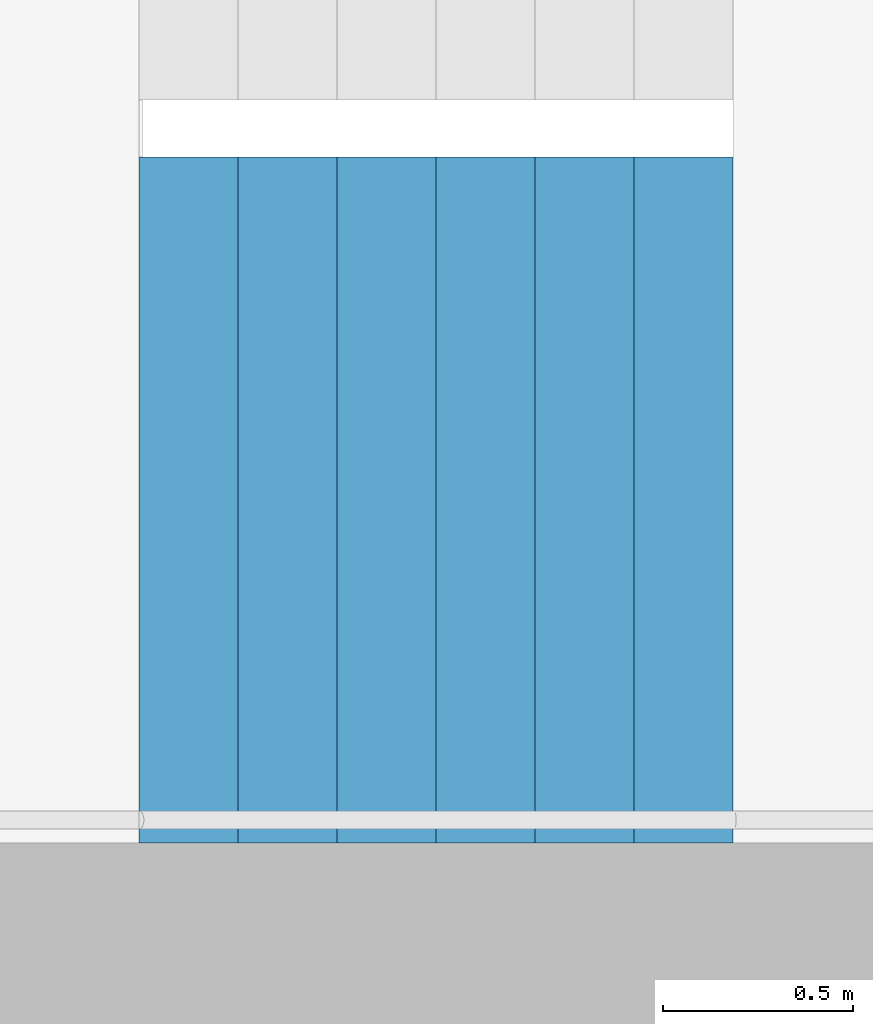
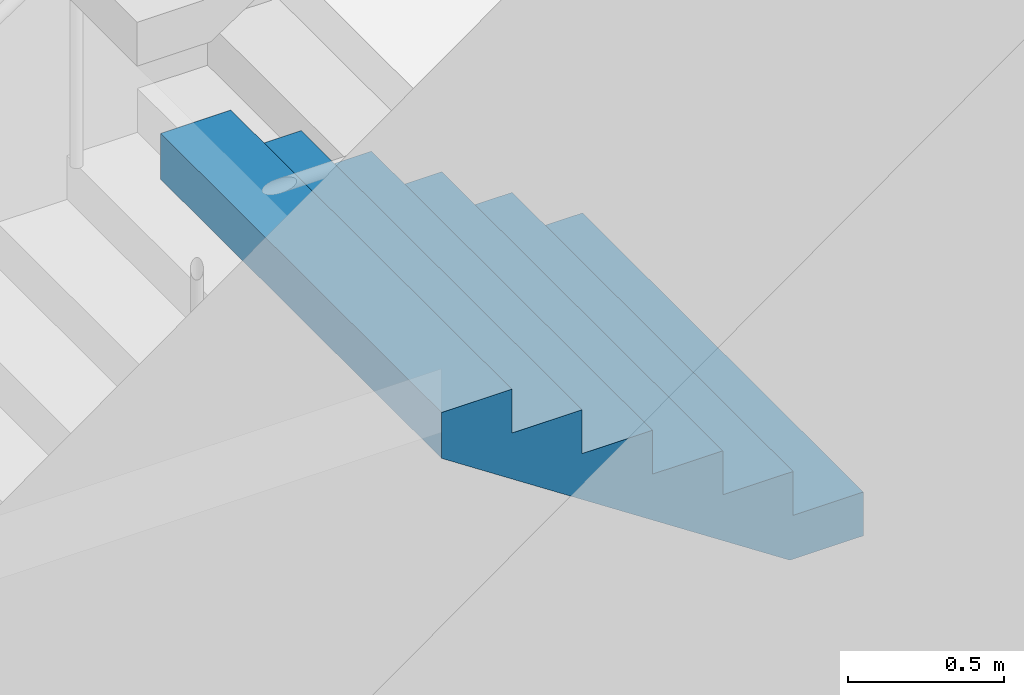
# One storey, part 35 of 53: 1 stair flight, 1 element without a shape of its own.
"""IFC4 building model written with IfcOpenShell, lengths in metres."""

from ifc_helpers import new_model, si_unit, direction, frame, origin, place, context, subcontext, project, spatial, triangles, material, type_object, element, aggregate, save


model = new_model("IFC4")

# Units and contexts
model_context = context("Model", 3, precision=1e-05, world=origin(), true_north=direction((0.0, 1.0)))
body_context = subcontext(model_context, "Body", "Model", "MODEL_VIEW")
ifc_project = project(units=[si_unit("LENGTHUNIT", "METRE"), si_unit("AREAUNIT", "SQUARE_METRE"), si_unit("VOLUMEUNIT", "CUBIC_METRE"), si_unit("PLANEANGLEUNIT", "RADIAN"), si_unit("MASSUNIT", "GRAM", prefix="KILO")], contexts=[model_context])

# Site, building, storey
site_placement = place(None, origin())
site = spatial("IfcSite", under=ifc_project, at=site_placement, CompositionType="ELEMENT")
building_placement = place(site_placement, origin())
building = spatial("IfcBuilding", under=site, at=building_placement, Name="Hakoniwa Tower and Hamabe Station Hall", CompositionType="ELEMENT")
storey_placement = place(building_placement, frame((0.0, 0.0, 15.0)))
storey = spatial("IfcBuildingStorey", under=building, at=storey_placement, Name="L03", CompositionType="ELEMENT", Elevation=15.0)

# Stair, stair flight
ifc_material_1 = material(Name="Concrete C40", Category="concrete")
stair_type = type_object("IfcStairType", Name="ESCAPE STAIR 1800", PredefinedType="HALF_TURN_STAIR", material=ifc_material_1)
stair_placement = place(storey_placement, origin())
stair = element("IfcStair", 1, at=stair_placement, inside=storey, type_object=stair_type, Name="Escape stair ST-4 L03", PredefinedType="HALF_TURN_STAIR")
ifc_material_2 = material(Name="Concrete C40", Category="concrete")
stair_flight_type = type_object("IfcStairFlightType", Name="STAIR FLIGHT 1800", PredefinedType="STRAIGHT", material=ifc_material_2)
stair_flight_placement = place(storey_placement, frame((24.9599609375, -6.60009765625, 1.199951171875), z_axis=(0.0, 0.0, 1.0), x_axis=(-1.0, 0.0, 0.0)))
stair_flight = element("IfcStairFlight", 2, at=stair_flight_placement, type_object=stair_flight_type, Name="ST-4 flight 2", NumberOfRisers=7, NumberOfTreads=6, PredefinedType="STRAIGHT", RiserHeight=0.171428571, TreadLength=0.26, context=body_context, shape_type="Tessellation", body=[
    triangles([(0.0, 0.89990234375, 0.0), (0.260009765625, 0.89990234375, 0.0), (0.272216796875, 0.89990234375, 0.0), (0.52001953125, 0.89990234375, 0.163330078125), (0.780029296875, 0.89990234375, 0.334716796875), (1.0400390625, 0.89990234375, 0.506103515625), (1.300048828125, 0.89990234375, 0.677490234375), (1.56005859375, 0.89990234375, 0.84912109375), (1.56005859375, 0.89990234375, 1.028564453125), (1.300048828125, 0.89990234375, 1.028564453125), (1.300048828125, 0.89990234375, 0.857177734375), (1.0400390625, 0.89990234375, 0.857177734375), (1.0400390625, 0.89990234375, 0.685791015625), (0.780029296875, 0.89990234375, 0.685791015625), (0.780029296875, 0.89990234375, 0.514404296875), (0.52001953125, 0.89990234375, 0.514404296875), (0.52001953125, 0.89990234375, 0.3427734375), (0.272216796875, 0.89990234375, 0.3427734375), (0.260009765625, 0.89990234375, 0.3427734375), (0.260009765625, 0.89990234375, 0.17138671875), (0.0, 0.89990234375, 0.17138671875), (0.0, 0.06005859375, 0.0), (0.260009765625, 0.06005859375, 0.0), (0.272216796875, 0.06005859375, 0.0), (0.52001953125, 0.06005859375, 0.163330078125), (0.780029296875, 0.06005859375, 0.334716796875), (1.0400390625, 0.06005859375, 0.506103515625), (1.300048828125, 0.06005859375, 0.677490234375), (1.56005859375, 0.06005859375, 0.84912109375), (1.56005859375, 0.06005859375, 1.028564453125), (1.300048828125, 0.06005859375, 1.028564453125), (1.300048828125, 0.06005859375, 0.857177734375), (1.0400390625, 0.06005859375, 0.857177734375), (1.0400390625, 0.06005859375, 0.685791015625), (0.780029296875, 0.06005859375, 0.685791015625), (0.780029296875, 0.06005859375, 0.514404296875), (0.52001953125, 0.06005859375, 0.514404296875), (0.52001953125, 0.06005859375, 0.3427734375), (0.272216796875, 0.06005859375, 0.3427734375), (0.260009765625, 0.06005859375, 0.3427734375), (0.260009765625, 0.06005859375, 0.17138671875), (0.0, 0.06005859375, 0.17138671875), (0.0, 0.049072265625, 0.0), (0.260009765625, 0.049072265625, 0.0), (0.272216796875, 0.049072265625, 0.0), (0.52001953125, 0.049072265625, 0.163330078125), (0.780029296875, 0.049072265625, 0.334716796875), (1.0400390625, 0.049072265625, 0.506103515625), (1.300048828125, 0.049072265625, 0.677490234375), (1.56005859375, 0.049072265625, 0.84912109375), (1.56005859375, 0.049072265625, 1.028564453125), (1.300048828125, 0.049072265625, 1.028564453125), (1.300048828125, 0.049072265625, 0.857177734375), (1.0400390625, 0.049072265625, 0.857177734375), (1.0400390625, 0.049072265625, 0.685791015625), (0.780029296875, 0.049072265625, 0.685791015625), (0.780029296875, 0.049072265625, 0.514404296875), (0.52001953125, 0.049072265625, 0.514404296875), (0.52001953125, 0.049072265625, 0.3427734375), (0.272216796875, 0.049072265625, 0.3427734375), (0.260009765625, 0.049072265625, 0.3427734375), (0.260009765625, 0.049072265625, 0.17138671875), (0.0, 0.049072265625, 0.17138671875), (0.0, 0.0380859375, 0.0), (0.260009765625, 0.0380859375, 0.0), (0.272216796875, 0.0380859375, 0.0), (0.52001953125, 0.0380859375, 0.163330078125), (0.780029296875, 0.0380859375, 0.334716796875), (1.0400390625, 0.0380859375, 0.506103515625), (1.300048828125, 0.0380859375, 0.677490234375), (1.56005859375, 0.0380859375, 0.84912109375), (1.56005859375, 0.0380859375, 1.028564453125), (1.300048828125, 0.0380859375, 1.028564453125), (1.300048828125, 0.0380859375, 0.857177734375), (1.0400390625, 0.0380859375, 0.857177734375), (1.0400390625, 0.0380859375, 0.685791015625), (0.780029296875, 0.0380859375, 0.685791015625), (0.780029296875, 0.0380859375, 0.514404296875), (0.52001953125, 0.0380859375, 0.514404296875), (0.52001953125, 0.0380859375, 0.3427734375), (0.272216796875, 0.0380859375, 0.3427734375), (0.260009765625, 0.0380859375, 0.3427734375), (0.260009765625, 0.0380859375, 0.17138671875), (0.0, 0.0380859375, 0.17138671875), (0.0, 0.02734375, 0.0), (0.260009765625, 0.02734375, 0.0), (0.272216796875, 0.02734375, 0.0), (0.52001953125, 0.02734375, 0.163330078125), (0.780029296875, 0.02734375, 0.334716796875), (1.0400390625, 0.02734375, 0.506103515625), (1.300048828125, 0.02734375, 0.677490234375), (1.56005859375, 0.02734375, 0.84912109375), (1.56005859375, 0.02734375, 1.028564453125), (1.300048828125, 0.02734375, 1.028564453125), (1.300048828125, 0.02734375, 0.857177734375), (1.0400390625, 0.02734375, 0.857177734375), (1.0400390625, 0.02734375, 0.685791015625), (0.780029296875, 0.02734375, 0.685791015625), (0.780029296875, 0.02734375, 0.514404296875), (0.52001953125, 0.02734375, 0.514404296875), (0.52001953125, 0.02734375, 0.3427734375), (0.272216796875, 0.02734375, 0.3427734375), (0.260009765625, 0.02734375, 0.3427734375), (0.260009765625, 0.02734375, 0.17138671875), (0.0, 0.02734375, 0.17138671875), (0.0, 0.016357421875, 0.0), (0.260009765625, 0.016357421875, 0.0), (0.272216796875, 0.016357421875, 0.0), (0.52001953125, 0.016357421875, 0.163330078125), (0.780029296875, 0.016357421875, 0.334716796875), (1.0400390625, 0.016357421875, 0.506103515625), (1.300048828125, 0.016357421875, 0.677490234375), (1.56005859375, 0.016357421875, 0.84912109375), (1.56005859375, 0.016357421875, 1.028564453125), (1.300048828125, 0.016357421875, 1.028564453125), (1.300048828125, 0.016357421875, 0.857177734375), (1.0400390625, 0.016357421875, 0.857177734375), (1.0400390625, 0.016357421875, 0.685791015625), (0.780029296875, 0.016357421875, 0.685791015625), (0.780029296875, 0.016357421875, 0.514404296875), (0.52001953125, 0.016357421875, 0.514404296875), (0.52001953125, 0.016357421875, 0.3427734375), (0.272216796875, 0.016357421875, 0.3427734375), (0.260009765625, 0.016357421875, 0.3427734375), (0.260009765625, 0.016357421875, 0.17138671875), (0.0, 0.016357421875, 0.17138671875), (0.0, 0.00537109375, 0.0), (0.260009765625, 0.00537109375, 0.0), (0.272216796875, 0.00537109375, 0.0), (0.52001953125, 0.00537109375, 0.163330078125), (0.780029296875, 0.00537109375, 0.334716796875), (1.0400390625, 0.00537109375, 0.506103515625), (1.300048828125, 0.00537109375, 0.677490234375), (1.56005859375, 0.00537109375, 0.84912109375), (1.56005859375, 0.00537109375, 1.028564453125), (1.300048828125, 0.00537109375, 1.028564453125), (1.300048828125, 0.00537109375, 0.857177734375), (1.0400390625, 0.00537109375, 0.857177734375), (1.0400390625, 0.00537109375, 0.685791015625), (0.780029296875, 0.00537109375, 0.685791015625), (0.780029296875, 0.00537109375, 0.514404296875), (0.52001953125, 0.00537109375, 0.514404296875), (0.52001953125, 0.00537109375, 0.3427734375), (0.272216796875, 0.00537109375, 0.3427734375), (0.260009765625, 0.00537109375, 0.3427734375), (0.260009765625, 0.00537109375, 0.17138671875), (0.0, 0.00537109375, 0.17138671875), (0.0, -0.00537109375, 0.0), (0.260009765625, -0.00537109375, 0.0), (0.272216796875, -0.00537109375, 0.0), (0.52001953125, -0.00537109375, 0.163330078125), (0.780029296875, -0.00537109375, 0.334716796875), (1.0400390625, -0.00537109375, 0.506103515625), (1.300048828125, -0.00537109375, 0.677490234375), (1.56005859375, -0.00537109375, 0.84912109375), (1.56005859375, -0.00537109375, 1.028564453125), (1.300048828125, -0.00537109375, 1.028564453125), (1.300048828125, -0.00537109375, 0.857177734375), (1.0400390625, -0.00537109375, 0.857177734375), (1.0400390625, -0.00537109375, 0.685791015625), (0.780029296875, -0.00537109375, 0.685791015625), (0.780029296875, -0.00537109375, 0.514404296875), (0.52001953125, -0.00537109375, 0.514404296875), (0.52001953125, -0.00537109375, 0.3427734375), (0.272216796875, -0.00537109375, 0.3427734375), (0.260009765625, -0.00537109375, 0.3427734375), (0.260009765625, -0.00537109375, 0.17138671875), (0.0, -0.00537109375, 0.17138671875), (0.0, -0.016357421875, 0.0), (0.260009765625, -0.016357421875, 0.0), (0.272216796875, -0.016357421875, 0.0), (0.52001953125, -0.016357421875, 0.163330078125), (0.780029296875, -0.016357421875, 0.334716796875), (1.0400390625, -0.016357421875, 0.506103515625), (1.300048828125, -0.016357421875, 0.677490234375), (1.56005859375, -0.016357421875, 0.84912109375), (1.56005859375, -0.016357421875, 1.028564453125), (1.300048828125, -0.016357421875, 1.028564453125), (1.300048828125, -0.016357421875, 0.857177734375), (1.0400390625, -0.016357421875, 0.857177734375), (1.0400390625, -0.016357421875, 0.685791015625), (0.780029296875, -0.016357421875, 0.685791015625), (0.780029296875, -0.016357421875, 0.514404296875), (0.52001953125, -0.016357421875, 0.514404296875), (0.52001953125, -0.016357421875, 0.3427734375), (0.272216796875, -0.016357421875, 0.3427734375), (0.260009765625, -0.016357421875, 0.3427734375), (0.260009765625, -0.016357421875, 0.17138671875), (0.0, -0.016357421875, 0.17138671875), (0.0, -0.02734375, 0.0), (0.260009765625, -0.02734375, 0.0), (0.272216796875, -0.02734375, 0.0), (0.52001953125, -0.02734375, 0.163330078125), (0.780029296875, -0.02734375, 0.334716796875), (1.0400390625, -0.02734375, 0.506103515625), (1.300048828125, -0.02734375, 0.677490234375), (1.56005859375, -0.02734375, 0.84912109375), (1.56005859375, -0.02734375, 1.028564453125), (1.300048828125, -0.02734375, 1.028564453125), (1.300048828125, -0.02734375, 0.857177734375), (1.0400390625, -0.02734375, 0.857177734375), (1.0400390625, -0.02734375, 0.685791015625), (0.780029296875, -0.02734375, 0.685791015625), (0.780029296875, -0.02734375, 0.514404296875), (0.52001953125, -0.02734375, 0.514404296875), (0.52001953125, -0.02734375, 0.3427734375), (0.272216796875, -0.02734375, 0.3427734375), (0.260009765625, -0.02734375, 0.3427734375), (0.260009765625, -0.02734375, 0.17138671875), (0.0, -0.02734375, 0.17138671875), (0.0, -0.0380859375, 0.0), (0.260009765625, -0.0380859375, 0.0), (0.272216796875, -0.0380859375, 0.0), (0.52001953125, -0.0380859375, 0.163330078125), (0.780029296875, -0.0380859375, 0.334716796875), (1.0400390625, -0.0380859375, 0.506103515625), (1.300048828125, -0.0380859375, 0.677490234375), (1.56005859375, -0.0380859375, 0.84912109375), (1.56005859375, -0.0380859375, 1.028564453125), (1.300048828125, -0.0380859375, 1.028564453125), (1.300048828125, -0.0380859375, 0.857177734375), (1.0400390625, -0.0380859375, 0.857177734375), (1.0400390625, -0.0380859375, 0.685791015625), (0.780029296875, -0.0380859375, 0.685791015625), (0.780029296875, -0.0380859375, 0.514404296875), (0.52001953125, -0.0380859375, 0.514404296875), (0.52001953125, -0.0380859375, 0.3427734375), (0.272216796875, -0.0380859375, 0.3427734375), (0.260009765625, -0.0380859375, 0.3427734375), (0.260009765625, -0.0380859375, 0.17138671875), (0.0, -0.0380859375, 0.17138671875), (0.0, -0.049072265625, 0.0), (0.260009765625, -0.049072265625, 0.0), (0.272216796875, -0.049072265625, 0.0), (0.52001953125, -0.049072265625, 0.163330078125), (0.780029296875, -0.049072265625, 0.334716796875), (1.0400390625, -0.049072265625, 0.506103515625), (1.300048828125, -0.049072265625, 0.677490234375), (1.56005859375, -0.049072265625, 0.84912109375), (1.56005859375, -0.049072265625, 1.028564453125), (1.300048828125, -0.049072265625, 1.028564453125), (1.300048828125, -0.049072265625, 0.857177734375), (1.0400390625, -0.049072265625, 0.857177734375), (1.0400390625, -0.049072265625, 0.685791015625), (0.780029296875, -0.049072265625, 0.685791015625), (0.780029296875, -0.049072265625, 0.514404296875), (0.52001953125, -0.049072265625, 0.514404296875), (0.52001953125, -0.049072265625, 0.3427734375), (0.272216796875, -0.049072265625, 0.3427734375), (0.260009765625, -0.049072265625, 0.3427734375), (0.260009765625, -0.049072265625, 0.17138671875), (0.0, -0.049072265625, 0.17138671875), (0.0, -0.06005859375, 0.0), (0.260009765625, -0.06005859375, 0.0), (0.272216796875, -0.06005859375, 0.0), (0.52001953125, -0.06005859375, 0.163330078125), (0.780029296875, -0.06005859375, 0.334716796875), (1.0400390625, -0.06005859375, 0.506103515625), (1.300048828125, -0.06005859375, 0.677490234375), (1.56005859375, -0.06005859375, 0.84912109375), (1.56005859375, -0.06005859375, 1.028564453125), (1.300048828125, -0.06005859375, 1.028564453125), (1.300048828125, -0.06005859375, 0.857177734375), (1.0400390625, -0.06005859375, 0.857177734375), (1.0400390625, -0.06005859375, 0.685791015625), (0.780029296875, -0.06005859375, 0.685791015625), (0.780029296875, -0.06005859375, 0.514404296875), (0.52001953125, -0.06005859375, 0.514404296875), (0.52001953125, -0.06005859375, 0.3427734375), (0.272216796875, -0.06005859375, 0.3427734375), (0.260009765625, -0.06005859375, 0.3427734375), (0.260009765625, -0.06005859375, 0.17138671875), (0.0, -0.06005859375, 0.17138671875), (0.0, -0.89990234375, 0.0), (0.260009765625, -0.89990234375, 0.0), (0.272216796875, -0.89990234375, 0.0), (0.52001953125, -0.89990234375, 0.163330078125), (0.780029296875, -0.89990234375, 0.334716796875), (1.0400390625, -0.89990234375, 0.506103515625), (1.300048828125, -0.89990234375, 0.677490234375), (1.56005859375, -0.89990234375, 0.84912109375), (1.56005859375, -0.89990234375, 1.028564453125), (1.300048828125, -0.89990234375, 1.028564453125), (1.300048828125, -0.89990234375, 0.857177734375), (1.0400390625, -0.89990234375, 0.857177734375), (1.0400390625, -0.89990234375, 0.685791015625), (0.780029296875, -0.89990234375, 0.685791015625), (0.780029296875, -0.89990234375, 0.514404296875), (0.52001953125, -0.89990234375, 0.514404296875), (0.52001953125, -0.89990234375, 0.3427734375), (0.272216796875, -0.89990234375, 0.3427734375), (0.260009765625, -0.89990234375, 0.3427734375), (0.260009765625, -0.89990234375, 0.17138671875), (0.0, -0.89990234375, 0.17138671875)], [[2, 21, 20], [275, 293, 294], [2, 1, 21], [275, 294, 274], [3, 19, 18], [276, 291, 292], [3, 20, 19], [276, 292, 293], [3, 2, 20], [276, 293, 275], [4, 18, 17], [277, 290, 291], [4, 3, 18], [277, 291, 276], [5, 16, 15], [278, 288, 289], [5, 17, 16], [278, 289, 290], [5, 4, 17], [278, 290, 277], [6, 14, 13], [279, 286, 287], [6, 15, 14], [279, 287, 288], [6, 5, 15], [279, 288, 278], [7, 12, 11], [280, 284, 285], [7, 13, 12], [280, 285, 286], [7, 6, 13], [280, 286, 279], [8, 10, 9], [281, 282, 283], [8, 11, 10], [281, 283, 284], [8, 7, 11], [281, 284, 280], [1, 2, 23], [1, 23, 22], [22, 23, 44], [22, 44, 43], [43, 44, 65], [43, 65, 64], [64, 65, 86], [64, 86, 85], [85, 86, 107], [85, 107, 106], [106, 107, 128], [106, 128, 127], [127, 128, 149], [127, 149, 148], [148, 149, 170], [148, 170, 169], [169, 170, 191], [169, 191, 190], [190, 191, 212], [190, 212, 211], [211, 212, 233], [211, 233, 232], [232, 233, 254], [232, 254, 253], [253, 254, 275], [253, 275, 274], [2, 3, 24], [2, 24, 23], [23, 24, 45], [23, 45, 44], [44, 45, 66], [44, 66, 65], [65, 66, 87], [65, 87, 86], [86, 87, 108], [86, 108, 107], [107, 108, 129], [107, 129, 128], [128, 129, 150], [128, 150, 149], [149, 150, 171], [149, 171, 170], [170, 171, 192], [170, 192, 191], [191, 192, 213], [191, 213, 212], [212, 213, 234], [212, 234, 233], [233, 234, 255], [233, 255, 254], [254, 255, 276], [254, 276, 275], [3, 4, 25], [3, 25, 24], [24, 25, 46], [24, 46, 45], [45, 46, 67], [45, 67, 66], [66, 67, 88], [66, 88, 87], [87, 88, 109], [87, 109, 108], [108, 109, 130], [108, 130, 129], [129, 130, 151], [129, 151, 150], [150, 151, 172], [150, 172, 171], [171, 172, 193], [171, 193, 192], [192, 193, 214], [192, 214, 213], [213, 214, 235], [213, 235, 234], [234, 235, 256], [234, 256, 255], [255, 256, 277], [255, 277, 276], [4, 5, 26], [4, 26, 25], [25, 26, 47], [25, 47, 46], [46, 47, 68], [46, 68, 67], [67, 68, 89], [67, 89, 88], [88, 89, 110], [88, 110, 109], [109, 110, 131], [109, 131, 130], [130, 131, 152], [130, 152, 151], [151, 152, 173], [151, 173, 172], [172, 173, 194], [172, 194, 193], [193, 194, 215], [193, 215, 214], [214, 215, 236], [214, 236, 235], [235, 236, 257], [235, 257, 256], [256, 257, 278], [256, 278, 277], [5, 6, 27], [5, 27, 26], [26, 27, 48], [26, 48, 47], [47, 48, 69], [47, 69, 68], [68, 69, 90], [68, 90, 89], [89, 90, 111], [89, 111, 110], [110, 111, 132], [110, 132, 131], [131, 132, 153], [131, 153, 152], [152, 153, 174], [152, 174, 173], [173, 174, 195], [173, 195, 194], [194, 195, 216], [194, 216, 215], [215, 216, 237], [215, 237, 236], [236, 237, 258], [236, 258, 257], [257, 258, 279], [257, 279, 278], [6, 7, 28], [6, 28, 27], [27, 28, 49], [27, 49, 48], [48, 49, 70], [48, 70, 69], [69, 70, 91], [69, 91, 90], [90, 91, 112], [90, 112, 111], [111, 112, 133], [111, 133, 132], [132, 133, 154], [132, 154, 153], [153, 154, 175], [153, 175, 174], [174, 175, 196], [174, 196, 195], [195, 196, 217], [195, 217, 216], [216, 217, 238], [216, 238, 237], [237, 238, 259], [237, 259, 258], [258, 259, 280], [258, 280, 279], [7, 8, 29], [7, 29, 28], [28, 29, 50], [28, 50, 49], [49, 50, 71], [49, 71, 70], [70, 71, 92], [70, 92, 91], [91, 92, 113], [91, 113, 112], [112, 113, 134], [112, 134, 133], [133, 134, 155], [133, 155, 154], [154, 155, 176], [154, 176, 175], [175, 176, 197], [175, 197, 196], [196, 197, 218], [196, 218, 217], [217, 218, 239], [217, 239, 238], [238, 239, 260], [238, 260, 259], [259, 260, 281], [259, 281, 280], [8, 9, 30], [8, 30, 29], [29, 30, 51], [29, 51, 50], [50, 51, 72], [50, 72, 71], [71, 72, 93], [71, 93, 92], [92, 93, 114], [92, 114, 113], [113, 114, 135], [113, 135, 134], [134, 135, 156], [134, 156, 155], [155, 156, 177], [155, 177, 176], [176, 177, 198], [176, 198, 197], [197, 198, 219], [197, 219, 218], [218, 219, 240], [218, 240, 239], [239, 240, 261], [239, 261, 260], [260, 261, 282], [260, 282, 281], [9, 10, 31], [9, 31, 30], [30, 31, 52], [30, 52, 51], [51, 52, 73], [51, 73, 72], [72, 73, 94], [72, 94, 93], [93, 94, 115], [93, 115, 114], [114, 115, 136], [114, 136, 135], [135, 136, 157], [135, 157, 156], [156, 157, 178], [156, 178, 177], [177, 178, 199], [177, 199, 198], [198, 199, 220], [198, 220, 219], [219, 220, 241], [219, 241, 240], [240, 241, 262], [240, 262, 261], [261, 262, 283], [261, 283, 282], [10, 11, 32], [10, 32, 31], [31, 32, 53], [31, 53, 52], [52, 53, 74], [52, 74, 73], [73, 74, 95], [73, 95, 94], [94, 95, 116], [94, 116, 115], [115, 116, 137], [115, 137, 136], [136, 137, 158], [136, 158, 157], [157, 158, 179], [157, 179, 178], [178, 179, 200], [178, 200, 199], [199, 200, 221], [199, 221, 220], [220, 221, 242], [220, 242, 241], [241, 242, 263], [241, 263, 262], [262, 263, 284], [262, 284, 283], [11, 12, 33], [11, 33, 32], [32, 33, 54], [32, 54, 53], [53, 54, 75], [53, 75, 74], [74, 75, 96], [74, 96, 95], [95, 96, 117], [95, 117, 116], [116, 117, 138], [116, 138, 137], [137, 138, 159], [137, 159, 158], [158, 159, 180], [158, 180, 179], [179, 180, 201], [179, 201, 200], [200, 201, 222], [200, 222, 221], [221, 222, 243], [221, 243, 242], [242, 243, 264], [242, 264, 263], [263, 264, 285], [263, 285, 284], [12, 13, 34], [12, 34, 33], [33, 34, 55], [33, 55, 54], [54, 55, 76], [54, 76, 75], [75, 76, 97], [75, 97, 96], [96, 97, 118], [96, 118, 117], [117, 118, 139], [117, 139, 138], [138, 139, 160], [138, 160, 159], [159, 160, 181], [159, 181, 180], [180, 181, 202], [180, 202, 201], [201, 202, 223], [201, 223, 222], [222, 223, 244], [222, 244, 243], [243, 244, 265], [243, 265, 264], [264, 265, 286], [264, 286, 285], [13, 14, 35], [13, 35, 34], [34, 35, 56], [34, 56, 55], [55, 56, 77], [55, 77, 76], [76, 77, 98], [76, 98, 97], [97, 98, 119], [97, 119, 118], [118, 119, 140], [118, 140, 139], [139, 140, 161], [139, 161, 160], [160, 161, 182], [160, 182, 181], [181, 182, 203], [181, 203, 202], [202, 203, 224], [202, 224, 223], [223, 224, 245], [223, 245, 244], [244, 245, 266], [244, 266, 265], [265, 266, 287], [265, 287, 286], [14, 15, 36], [14, 36, 35], [35, 36, 57], [35, 57, 56], [56, 57, 78], [56, 78, 77], [77, 78, 99], [77, 99, 98], [98, 99, 120], [98, 120, 119], [119, 120, 141], [119, 141, 140], [140, 141, 162], [140, 162, 161], [161, 162, 183], [161, 183, 182], [182, 183, 204], [182, 204, 203], [203, 204, 225], [203, 225, 224], [224, 225, 246], [224, 246, 245], [245, 246, 267], [245, 267, 266], [266, 267, 288], [266, 288, 287], [15, 16, 37], [15, 37, 36], [36, 37, 58], [36, 58, 57], [57, 58, 79], [57, 79, 78], [78, 79, 100], [78, 100, 99], [99, 100, 121], [99, 121, 120], [120, 121, 142], [120, 142, 141], [141, 142, 163], [141, 163, 162], [162, 163, 184], [162, 184, 183], [183, 184, 205], [183, 205, 204], [204, 205, 226], [204, 226, 225], [225, 226, 247], [225, 247, 246], [246, 247, 268], [246, 268, 267], [267, 268, 289], [267, 289, 288], [16, 17, 38], [16, 38, 37], [37, 38, 59], [37, 59, 58], [58, 59, 80], [58, 80, 79], [79, 80, 101], [79, 101, 100], [100, 101, 122], [100, 122, 121], [121, 122, 143], [121, 143, 142], [142, 143, 164], [142, 164, 163], [163, 164, 185], [163, 185, 184], [184, 185, 206], [184, 206, 205], [205, 206, 227], [205, 227, 226], [226, 227, 248], [226, 248, 247], [247, 248, 269], [247, 269, 268], [268, 269, 290], [268, 290, 289], [17, 18, 39], [17, 39, 38], [38, 39, 60], [38, 60, 59], [59, 60, 81], [59, 81, 80], [80, 81, 102], [80, 102, 101], [101, 102, 123], [101, 123, 122], [122, 123, 144], [122, 144, 143], [143, 144, 165], [143, 165, 164], [164, 165, 186], [164, 186, 185], [185, 186, 207], [185, 207, 206], [206, 207, 228], [206, 228, 227], [227, 228, 249], [227, 249, 248], [248, 249, 270], [248, 270, 269], [269, 270, 291], [269, 291, 290], [18, 19, 40], [18, 40, 39], [39, 40, 61], [39, 61, 60], [60, 61, 82], [60, 82, 81], [81, 82, 103], [81, 103, 102], [102, 103, 124], [102, 124, 123], [123, 124, 145], [123, 145, 144], [144, 145, 166], [144, 166, 165], [165, 166, 187], [165, 187, 186], [186, 187, 208], [186, 208, 207], [207, 208, 229], [207, 229, 228], [228, 229, 250], [228, 250, 249], [249, 250, 271], [249, 271, 270], [270, 271, 292], [270, 292, 291], [19, 20, 41], [19, 41, 40], [40, 41, 62], [40, 62, 61], [61, 62, 83], [61, 83, 82], [82, 83, 104], [82, 104, 103], [103, 104, 125], [103, 125, 124], [124, 125, 146], [124, 146, 145], [145, 146, 167], [145, 167, 166], [166, 167, 188], [166, 188, 187], [187, 188, 209], [187, 209, 208], [208, 209, 230], [208, 230, 229], [229, 230, 251], [229, 251, 250], [250, 251, 272], [250, 272, 271], [271, 272, 293], [271, 293, 292], [20, 21, 42], [20, 42, 41], [41, 42, 63], [41, 63, 62], [62, 63, 84], [62, 84, 83], [83, 84, 105], [83, 105, 104], [104, 105, 126], [104, 126, 125], [125, 126, 147], [125, 147, 146], [146, 147, 168], [146, 168, 167], [167, 168, 189], [167, 189, 188], [188, 189, 210], [188, 210, 209], [209, 210, 231], [209, 231, 230], [230, 231, 252], [230, 252, 251], [251, 252, 273], [251, 273, 272], [272, 273, 294], [272, 294, 293], [21, 1, 22], [21, 22, 42], [42, 22, 43], [42, 43, 63], [63, 43, 64], [63, 64, 84], [84, 64, 85], [84, 85, 105], [105, 85, 106], [105, 106, 126], [126, 106, 127], [126, 127, 147], [147, 127, 148], [147, 148, 168], [168, 148, 169], [168, 169, 189], [189, 169, 190], [189, 190, 210], [210, 190, 211], [210, 211, 231], [231, 211, 232], [231, 232, 252], [252, 232, 253], [252, 253, 273], [273, 253, 274], [273, 274, 294]], closed=True),
])
aggregate(stair, [stair_flight])

save(model, "model.ifc")
